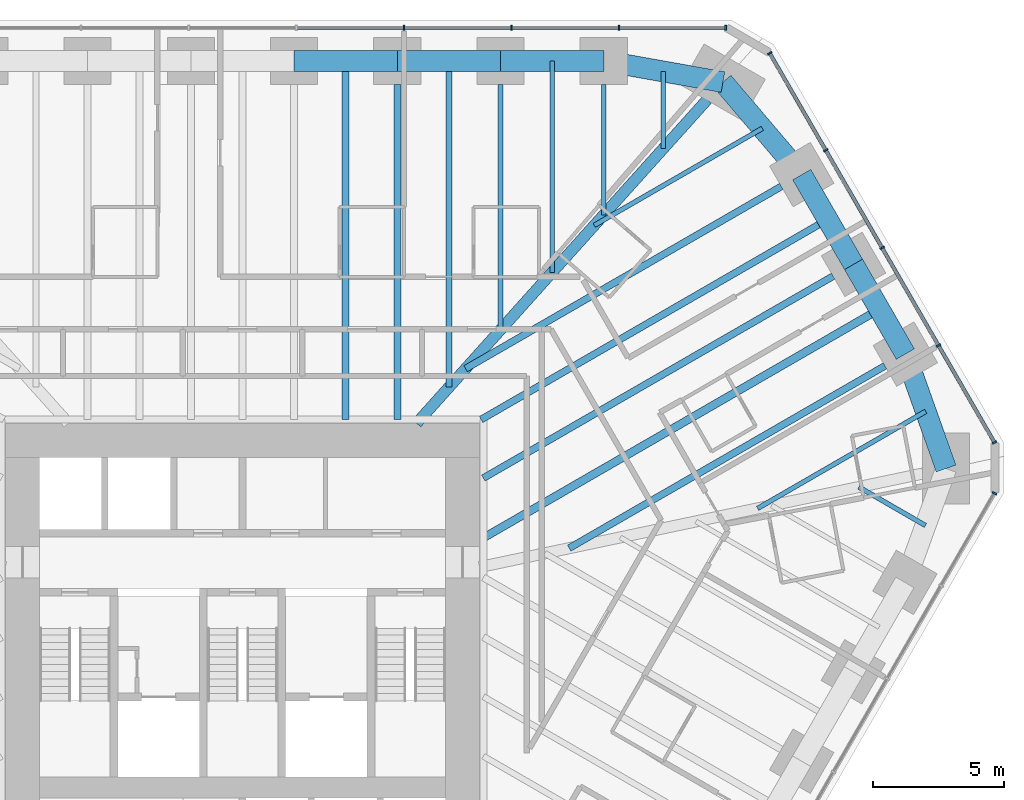
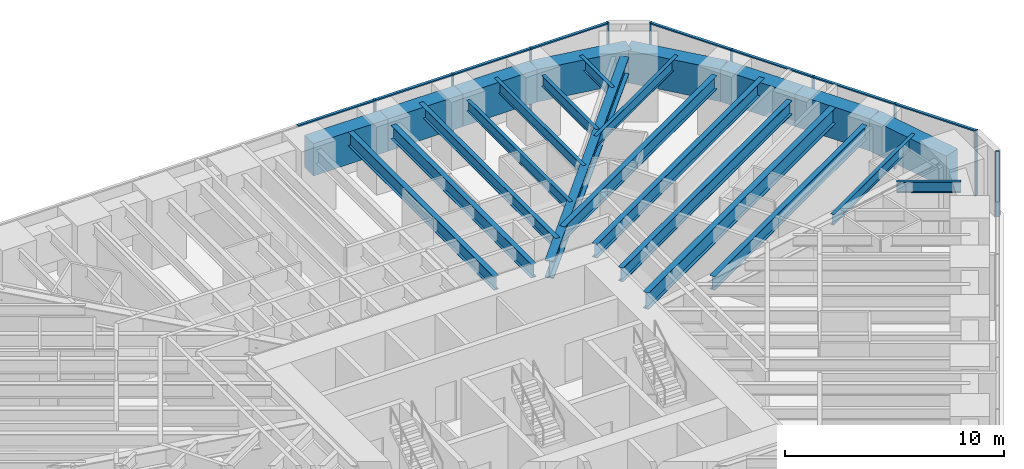
# One storey, part 9 of 17: 24 beams, 18 members, 3 elements without a shape of their own.
"""IFC4 building model written with IfcOpenShell, lengths in metres."""

from ifc_helpers import new_model, si_unit, direction, frame, origin, origin_2d, place, context, subcontext, project, spatial, rectangle, i_section, extrude, material, material_profile, profile_set, type_object, element, aggregate, save


model = new_model("IFC4")

# Units and contexts
model_context = context("Model", 3, precision=1e-05, world=origin(), true_north=direction((0.0, 1.0)))
body_context = subcontext(model_context, "Body", "Model", "MODEL_VIEW")
ifc_project = project(units=[si_unit("LENGTHUNIT", "METRE"), si_unit("AREAUNIT", "SQUARE_METRE"), si_unit("VOLUMEUNIT", "CUBIC_METRE"), si_unit("PLANEANGLEUNIT", "RADIAN"), si_unit("MASSUNIT", "GRAM", prefix="KILO")], contexts=[model_context])

# Site, building, storey
site_placement = place(None, origin())
site = spatial("IfcSite", under=ifc_project, at=site_placement, CompositionType="ELEMENT")
building_placement = place(site_placement, origin())
building = spatial("IfcBuilding", under=site, at=building_placement, Name="Sandreach Pilgrim Tower", CompositionType="ELEMENT")
storey_placement = place(building_placement, frame((0.0, 0.0, 123.39990234375)))
storey = spatial("IfcBuildingStorey", under=building, at=storey_placement, Name="L30", CompositionType="ELEMENT", Elevation=123.39990234375)

# Curtain wall, members
ifc_material_1 = material(Name="Aluminium framed curtain wall", Category="aluminium")
curtain_wall_type = type_object("IfcCurtainWallType", Name="Hotel tower curtain wall", PredefinedType="NOTDEFINED", material=ifc_material_1)
curtain_wall_1_placement = place(storey_placement, origin())
curtain_wall_1 = element("IfcCurtainWall", 1, at=curtain_wall_1_placement, inside=storey, type_object=curtain_wall_type, Name="CW-2 L30 N", PredefinedType="NOTDEFINED")
ifc_material_2 = material(Name="Aluminium extrusion", Category="aluminium")
ifc_material_profile_1 = material_profile(ifc_material_2, rectangle(XDim=0.06494140625, YDim=0.179931640625, at=origin_2d()), Name="CW-2M 65X180")
ifc_profile_set_1 = profile_set([ifc_material_profile_1], Name="Aluminium extrusion")
member_type_1 = type_object("IfcMemberType", Name="CW-2 mullion", PredefinedType="MULLION", material=ifc_profile_set_1)
member_1_placement = place(storey_placement, frame((6.160400390625, 22.493896484375, 0.0), z_axis=(0.0, 0.0, 1.0), x_axis=(1.0, 0.0, 0.0)))
member_1 = element("IfcMember", 2, at=member_1_placement, type_object=member_type_1, Name="CW-2 mullion 7", PredefinedType="MULLION", context=body_context, shape_type="SweptSolid", body=[
    extrude(rectangle(XDim=0.06494140625, YDim=0.179931640625, at=origin_2d()), origin(), (0.0, 0.0, 1.0), 3.64013671875),
])
member_2_placement = place(storey_placement, frame((10.267333984375, 22.493896484375, 0.0), z_axis=(0.0, 0.0, 1.0), x_axis=(1.0, 0.0, 0.0)))
member_2 = element("IfcMember", 3, at=member_2_placement, type_object=member_type_1, Name="CW-2 mullion 8", PredefinedType="MULLION", context=body_context, shape_type="SweptSolid", body=[
    extrude(rectangle(XDim=0.06494140625, YDim=0.179931640625, at=origin_2d()), origin(), (0.0, 0.0, 1.0), 3.64013671875),
])
member_3_placement = place(storey_placement, frame((14.37451171875, 22.493896484375, 0.0), z_axis=(0.0, 0.0, 1.0), x_axis=(1.0, 0.0, 0.0)))
member_3 = element("IfcMember", 4, at=member_3_placement, type_object=member_type_1, Name="CW-2 mullion 9", PredefinedType="MULLION", context=body_context, shape_type="SweptSolid", body=[
    extrude(rectangle(XDim=0.06494140625, YDim=0.179931640625, at=origin_2d()), origin(), (0.0, 0.0, 1.0), 3.64013671875),
])
member_4_placement = place(storey_placement, frame((18.448974609375, 22.493896484375, 0.0), z_axis=(0.0, 0.0, 1.0), x_axis=(1.0, 0.0, 0.0)))
member_4 = element("IfcMember", 5, at=member_4_placement, type_object=member_type_1, Name="CW-2 mullion 10", PredefinedType="MULLION", context=body_context, shape_type="SweptSolid", body=[
    extrude(rectangle(XDim=0.06494140625, YDim=0.179931640625, at=origin_2d()), origin(), (0.0, 0.0, 1.0), 3.64013671875),
])

curtain_wall_2_placement = place(storey_placement, origin())
curtain_wall_2 = element("IfcCurtainWall", 6, at=curtain_wall_2_placement, inside=storey, type_object=curtain_wall_type, Name="CW-2 L30 NE", PredefinedType="NOTDEFINED")
member_5_placement = place(storey_placement, frame((20.125732421875, 21.525634765625, 0.0), z_axis=(0.0, 0.0, 1.0), x_axis=(0.5, -0.866025403784, 0.0)))
member_5 = element("IfcMember", 7, at=member_5_placement, type_object=member_type_1, Name="CW-2 mullion 1", PredefinedType="MULLION", context=body_context, shape_type="SweptSolid", body=[
    extrude(rectangle(XDim=0.06494140625, YDim=0.179931640625, at=origin_2d()), origin(), (0.0, 0.0, 1.0), 3.64013671875),
])
member_6_placement = place(storey_placement, frame((22.262451171875, 17.824951171875, 0.0), z_axis=(0.0, 0.0, 1.0), x_axis=(0.5, -0.866025403784, 0.0)))
member_6 = element("IfcMember", 8, at=member_6_placement, type_object=member_type_1, Name="CW-2 mullion 2", PredefinedType="MULLION", context=body_context, shape_type="SweptSolid", body=[
    extrude(rectangle(XDim=0.06494140625, YDim=0.179931640625, at=origin_2d()), origin(), (0.0, 0.0, 1.0), 3.64013671875),
])
member_7_placement = place(storey_placement, frame((24.415283203125, 14.09619140625, 0.0), z_axis=(0.0, 0.0, 1.0), x_axis=(0.5, -0.866025403784, 0.0)))
member_7 = element("IfcMember", 9, at=member_7_placement, type_object=member_type_1, Name="CW-2 mullion 3", PredefinedType="MULLION", context=body_context, shape_type="SweptSolid", body=[
    extrude(rectangle(XDim=0.06494140625, YDim=0.179931640625, at=origin_2d()), origin(), (0.0, 0.0, 1.0), 3.64013671875),
])
member_8_placement = place(storey_placement, frame((26.568115234375, 10.3671875, 0.0), z_axis=(0.0, 0.0, 1.0), x_axis=(0.5, -0.866025403784, 0.0)))
member_8 = element("IfcMember", 10, at=member_8_placement, type_object=member_type_1, Name="CW-2 mullion 4", PredefinedType="MULLION", context=body_context, shape_type="SweptSolid", body=[
    extrude(rectangle(XDim=0.06494140625, YDim=0.179931640625, at=origin_2d()), origin(), (0.0, 0.0, 1.0), 3.64013671875),
])
member_9_placement = place(storey_placement, frame((28.70458984375, 6.66650390625, 0.0), z_axis=(0.0, 0.0, 1.0), x_axis=(0.5, -0.866025403784, 0.0)))
member_9 = element("IfcMember", 11, at=member_9_placement, type_object=member_type_1, Name="CW-2 mullion 5", PredefinedType="MULLION", context=body_context, shape_type="SweptSolid", body=[
    extrude(rectangle(XDim=0.06494140625, YDim=0.179931640625, at=origin_2d()), origin(), (0.0, 0.0, 1.0), 3.64013671875),
])

# Curtain wall, member
curtain_wall_3_placement = place(storey_placement, origin())
curtain_wall_3 = element("IfcCurtainWall", 12, at=curtain_wall_3_placement, inside=storey, type_object=curtain_wall_type, Name="CW-2 L30 SE", PredefinedType="NOTDEFINED")
member_10_placement = place(storey_placement, frame((28.70458984375, 4.730224609375, 0.0), z_axis=(0.0, 0.0, 1.0), x_axis=(-0.5, -0.866025403784, 0.0)))
member_10 = element("IfcMember", 13, at=member_10_placement, type_object=member_type_1, Name="CW-2 mullion 1", PredefinedType="MULLION", context=body_context, shape_type="SweptSolid", body=[
    extrude(rectangle(XDim=0.06494140625, YDim=0.179931640625, at=origin_2d()), origin(), (0.0, 0.0, 1.0), 3.64013671875),
])
aggregate(curtain_wall_3, [member_10])

# Member
ifc_material_3 = material(Name="Aluminium extrusion", Category="aluminium")
ifc_material_profile_2 = material_profile(ifc_material_3, rectangle(XDim=0.139892578125, YDim=0.070068359375, at=origin_2d()), Name="CW-2T 140X70")
ifc_profile_set_2 = profile_set([ifc_material_profile_2], Name="Aluminium extrusion")
member_type_2 = type_object("IfcMemberType", Name="CW-2 transom", PredefinedType="USERDEFINED", material=ifc_profile_set_2)
member_11_placement = place(storey_placement, frame((2.0859375, 22.493896484375, 3.60498046875), z_axis=(1.0, 0.0, 0.0), x_axis=(0.0, 1.0, 0.0)))
member_11 = element("IfcMember", 14, at=member_11_placement, type_object=member_type_2, Name="CW-2 head transom 6", ObjectType="TRANSOM", PredefinedType="USERDEFINED", context=body_context, shape_type="SweptSolid", body=[
    extrude(rectangle(XDim=0.139892578125, YDim=0.070068359375, at=origin_2d()), origin(), (0.0, 0.0, 1.0), 4.0419921875),
])

member_12_placement = place(storey_placement, frame((6.19287109375, 22.493896484375, 3.60498046875), z_axis=(1.0, 0.0, 0.0), x_axis=(0.0, 1.0, 0.0)))
member_12 = element("IfcMember", 15, at=member_12_placement, type_object=member_type_2, Name="CW-2 head transom 7", ObjectType="TRANSOM", PredefinedType="USERDEFINED", context=body_context, shape_type="SweptSolid", body=[
    extrude(rectangle(XDim=0.139892578125, YDim=0.070068359375, at=origin_2d()), origin(), (0.0, 0.0, 1.0), 4.0419921875),
])

member_13_placement = place(storey_placement, frame((10.300048828125, 22.493896484375, 3.60498046875), z_axis=(1.0, 0.0, 0.0), x_axis=(0.0, 1.0, 0.0)))
member_13 = element("IfcMember", 16, at=member_13_placement, type_object=member_type_2, Name="CW-2 head transom 8", ObjectType="TRANSOM", PredefinedType="USERDEFINED", context=body_context, shape_type="SweptSolid", body=[
    extrude(rectangle(XDim=0.139892578125, YDim=0.070068359375, at=origin_2d()), origin(), (0.0, 0.0, 1.0), 4.041748046875),
])

member_14_placement = place(storey_placement, frame((14.406982421875, 22.493896484375, 3.60498046875), z_axis=(1.0, 0.0, 0.0), x_axis=(0.0, 1.0, 0.0)))
member_14 = element("IfcMember", 17, at=member_14_placement, type_object=member_type_2, Name="CW-2 head transom 9", ObjectType="TRANSOM", PredefinedType="USERDEFINED", context=body_context, shape_type="SweptSolid", body=[
    extrude(rectangle(XDim=0.139892578125, YDim=0.070068359375, at=origin_2d()), origin(), (0.0, 0.0, 1.0), 4.00927734375),
])

aggregate(curtain_wall_1, [member_1, member_2, member_3, member_4, member_11, member_12, member_13, member_14])

member_15_placement = place(storey_placement, frame((20.14208984375, 21.49755859375, 3.60498046875), z_axis=(0.49997020258, -0.86604260665, 0.0), x_axis=(0.86604260665, 0.49997020258, 0.0)))
member_15 = element("IfcMember", 18, at=member_15_placement, type_object=member_type_2, Name="CW-2 head transom 1", ObjectType="TRANSOM", PredefinedType="USERDEFINED", context=body_context, shape_type="SweptSolid", body=[
    extrude(rectangle(XDim=0.139892578125, YDim=0.070068359375, at=origin_2d()), origin(), (0.0, 0.0, 1.0), 4.208251953125),
])

member_16_placement = place(storey_placement, frame((22.278564453125, 17.796875, 3.60498046875), z_axis=(0.499996541496, -0.866027400544, 0.0), x_axis=(0.866027400544, 0.499996541496, 0.0)))
member_16 = element("IfcMember", 19, at=member_16_placement, type_object=member_type_2, Name="CW-2 head transom 2", ObjectType="TRANSOM", PredefinedType="USERDEFINED", context=body_context, shape_type="SweptSolid", body=[
    extrude(rectangle(XDim=0.139892578125, YDim=0.070068359375, at=origin_2d()), origin(), (0.0, 0.0, 1.0), 4.24072265625),
])

member_17_placement = place(storey_placement, frame((24.431396484375, 14.06787109375, 3.60498046875), z_axis=(0.500021471012, -0.866013007135, 0.0), x_axis=(0.866013007135, 0.500021471012, 0.0)))
member_17 = element("IfcMember", 20, at=member_17_placement, type_object=member_type_2, Name="CW-2 head transom 3", ObjectType="TRANSOM", PredefinedType="USERDEFINED", context=body_context, shape_type="SweptSolid", body=[
    extrude(rectangle(XDim=0.139892578125, YDim=0.070068359375, at=origin_2d()), origin(), (0.0, 0.0, 1.0), 4.240478515625),
])

member_18_placement = place(storey_placement, frame((26.584228515625, 10.339111328125, 3.60498046875), z_axis=(0.500038835258, -0.866002981077, 0.0), x_axis=(0.866002981077, 0.500038835258, 0.0)))
member_18 = element("IfcMember", 21, at=member_18_placement, type_object=member_type_2, Name="CW-2 head transom 4", ObjectType="TRANSOM", PredefinedType="USERDEFINED", context=body_context, shape_type="SweptSolid", body=[
    extrude(rectangle(XDim=0.139892578125, YDim=0.070068359375, at=origin_2d()), origin(), (0.0, 0.0, 1.0), 4.208251953125),
])

aggregate(curtain_wall_2, [member_5, member_6, member_7, member_8, member_9, member_15, member_16, member_17, member_18])

# Beams
ifc_material_4 = material(Name="Steel ASTM A992 Grade 50", Category="steel")
ifc_material_profile_3 = material_profile(ifc_material_4, i_section(OverallWidth=0.424072265625, OverallDepth=0.965087890625, WebThickness=0.028564453125, FlangeThickness=0.051025390625, at=origin_2d()), Name="W36X361")
ifc_profile_set_3 = profile_set([ifc_material_profile_3], Name="Steel ASTM A992 Grade 50")
beam_type_1 = type_object("IfcBeamType", Name="Corner girder W36X361", PredefinedType="BEAM", material=ifc_profile_set_3)
beam_1_placement = place(storey_placement, frame((17.738037109375, 19.754150390625, 3.157470703125), z_axis=(-0.66811374471, -0.74405915365, 0.0), x_axis=(0.74405915365, -0.66811374471, 0.0)))
element("IfcBeam", 22, at=beam_1_placement, inside=storey, type_object=beam_type_1, Name="BM L30 CG09", PredefinedType="BEAM", context=body_context, shape_type="SweptSolid", body=[
    extrude(i_section(OverallWidth=0.424072265625, OverallDepth=0.965087890625, WebThickness=0.028564453125, FlangeThickness=0.051025390625, at=origin_2d()), origin(), (0.0, 0.0, 1.0), 16.603759765625),
])
ifc_material_5 = material(Name="Steel ASTM A992 Grade 50", Category="steel")
ifc_material_profile_4 = material_profile(ifc_material_5, i_section(OverallWidth=0.1787109375, OverallDepth=0.60205078125, WebThickness=0.010986328125, FlangeThickness=0.014892578125, at=origin_2d()), Name="W24X62")
ifc_profile_set_4 = profile_set([ifc_material_profile_4], Name="Steel ASTM A992 Grade 50")
beam_type_2 = type_object("IfcBeamType", Name="Floor beam W24X62", PredefinedType="BEAM", material=ifc_profile_set_4)
beam_2_placement = place(storey_placement, frame((9.849853515625, 20.333740234375, 3.339111328125), z_axis=(0.0, -1.0, 0.0), x_axis=(1.0, 0.0, 0.0)))
element("IfcBeam", 23, at=beam_2_placement, inside=storey, type_object=beam_type_2, Name="BM L30 F07", PredefinedType="BEAM", context=body_context, shape_type="SweptSolid", body=[
    extrude(i_section(OverallWidth=0.1787109375, OverallDepth=0.60205078125, WebThickness=0.010986328125, FlangeThickness=0.014892578125, at=origin_2d()), origin(), (0.0, 0.0, 1.0), 9.3642578125),
])
beam_3_placement = place(storey_placement, frame((13.789794921875, 20.333740234375, 3.339111328125), z_axis=(0.0, -1.0, 0.0), x_axis=(1.0, 0.0, 0.0)))
element("IfcBeam", 24, at=beam_3_placement, inside=storey, type_object=beam_type_2, Name="BM L30 F08", PredefinedType="BEAM", context=body_context, shape_type="SweptSolid", body=[
    extrude(i_section(OverallWidth=0.1787109375, OverallDepth=0.60205078125, WebThickness=0.010986328125, FlangeThickness=0.014892578125, at=origin_2d()), origin(), (0.0, 0.0, 1.0), 4.9765625),
])
beam_4_placement = place(storey_placement, frame((11.81982421875, 21.23388671875, 3.339111328125), z_axis=(0.0, -1.0, 0.0), x_axis=(1.0, 0.0, 0.0)))
element("IfcBeam", 25, at=beam_4_placement, inside=storey, type_object=beam_type_2, Name="BM L30 FM07", PredefinedType="BEAM", context=body_context, shape_type="SweptSolid", body=[
    extrude(i_section(OverallWidth=0.1787109375, OverallDepth=0.60205078125, WebThickness=0.010986328125, FlangeThickness=0.014892578125, at=origin_2d()), origin(), (0.0, 0.0, 1.0), 8.070556640625),
])
beam_5_placement = place(storey_placement, frame((16.064697265625, 20.828857421875, 3.339111328125), z_axis=(0.0, -1.0, 0.0), x_axis=(1.0, 0.0, 0.0)))
element("IfcBeam", 26, at=beam_5_placement, inside=storey, type_object=beam_type_2, Name="BM L30 FM08", PredefinedType="BEAM", context=body_context, shape_type="SweptSolid", body=[
    extrude(i_section(OverallWidth=0.1787109375, OverallDepth=0.60205078125, WebThickness=0.010986328125, FlangeThickness=0.014892578125, at=origin_2d()), origin(), (0.0, 0.0, 1.0), 2.938232421875),
])
for number, where, z_axis, x_axis, name in (
    (27, (19.8427734375, 18.65771484375, 3.339111328125), (-0.866025875064, -0.499999183719, 0.0), (0.499999183719, -0.866025875064, 0.0), "BM L30 FM09"),
    (28, (26.079345703125, 7.855712890625, 3.339111328125), (-0.866025875064, -0.499999183719, 0.0), (0.499999183719, -0.866025875064, 0.0), "BM L30 FM12"),
):
    element("IfcBeam", number, at=place(storey_placement, frame(where, z_axis=z_axis, x_axis=x_axis)), inside=storey, type_object=beam_type_2, Name=name, PredefinedType="BEAM", context=body_context, shape_type="SweptSolid", body=[
        extrude(i_section(OverallWidth=0.1787109375, OverallDepth=0.60205078125, WebThickness=0.010986328125, FlangeThickness=0.014892578125, at=origin_2d()), origin(), (0.0, 0.0, 1.0), 7.40771484375),
    ])
beam_6_placement = place(storey_placement, frame((26.070556640625, 3.498046875, 3.339111328125), z_axis=(-0.866051374412, 0.499955014855, 0.0), x_axis=(-0.499955014855, -0.866051374412, 0.0)))
element("IfcBeam", 29, at=beam_6_placement, inside=storey, type_object=beam_type_2, Name="BM L30 FM13", PredefinedType="BEAM", context=body_context, shape_type="SweptSolid", body=[
    extrude(i_section(OverallWidth=0.1787109375, OverallDepth=0.60205078125, WebThickness=0.010986328125, FlangeThickness=0.014892578125, at=origin_2d()), origin(), (0.0, 0.0, 1.0), 2.938232421875),
])
ifc_material_6 = material(Name="Steel ASTM A992 Grade 50", Category="steel")
ifc_material_profile_5 = material_profile(ifc_material_6, i_section(OverallWidth=0.23046875, OverallDepth=0.6171875, WebThickness=0.01318359375, FlangeThickness=0.022216796875, at=origin_2d()), Name="W24X94")
ifc_profile_set_5 = profile_set([ifc_material_profile_5], Name="Steel ASTM A992 Grade 50")
beam_type_3 = type_object("IfcBeamType", Name="Floor beam W24X94", PredefinedType="BEAM", material=ifc_profile_set_5)
beam_7_placement = place(storey_placement, frame((7.8798828125, 21.23388671875, 3.33154296875), z_axis=(0.0, -1.0, 0.0), x_axis=(1.0, 0.0, 0.0)))
element("IfcBeam", 30, at=beam_7_placement, inside=storey, type_object=beam_type_3, Name="BM L30 FM06", PredefinedType="BEAM", context=body_context, shape_type="SweptSolid", body=[
    extrude(i_section(OverallWidth=0.23046875, OverallDepth=0.6171875, WebThickness=0.01318359375, FlangeThickness=0.022216796875, at=origin_2d()), origin(), (0.0, 0.0, 1.0), 12.458251953125),
])
ifc_material_7 = material(Name="Steel ASTM A992 Grade 50", Category="steel")
ifc_material_profile_6 = material_profile(ifc_material_7, i_section(OverallWidth=0.2666015625, OverallDepth=0.761962890625, WebThickness=0.014404296875, FlangeThickness=0.021484375, at=origin_2d()), Name="W30X116")
ifc_profile_set_6 = profile_set([ifc_material_profile_6], Name="Steel ASTM A992 Grade 50")
beam_type_4 = type_object("IfcBeamType", Name="Floor beam W30X116", PredefinedType="BEAM", material=ifc_profile_set_6)
beam_8_placement = place(storey_placement, frame((5.909912109375, 20.333740234375, 3.259033203125), z_axis=(0.0, -1.0, 0.0), x_axis=(1.0, 0.0, 0.0)))
element("IfcBeam", 31, at=beam_8_placement, inside=storey, type_object=beam_type_4, Name="BM L30 F06", PredefinedType="BEAM", context=body_context, shape_type="SweptSolid", body=[
    extrude(i_section(OverallWidth=0.2666015625, OverallDepth=0.761962890625, WebThickness=0.014404296875, FlangeThickness=0.021484375, at=origin_2d()), origin(), (0.0, 0.0, 1.0), 12.790283203125),
])
beam_9_placement = place(storey_placement, frame((20.56689453125, 16.44140625, 3.259033203125), z_axis=(-0.866022263426, -0.500005439221, 0.0), x_axis=(0.500005439221, -0.866022263426, 0.0)))
element("IfcBeam", 32, at=beam_9_placement, inside=storey, type_object=beam_type_4, Name="BM L30 F10", PredefinedType="BEAM", context=body_context, shape_type="SweptSolid", body=[
    extrude(i_section(OverallWidth=0.2666015625, OverallDepth=0.761962890625, WebThickness=0.014404296875, FlangeThickness=0.021484375, at=origin_2d()), origin(), (0.0, 0.0, 1.0), 13.915283203125),
])
beam_10_placement = place(storey_placement, frame((24.522216796875, 9.5908203125, 3.259033203125), z_axis=(-0.866026649588, -0.499997842199, 0.0), x_axis=(0.499997842199, -0.866026649588, 0.0)))
element("IfcBeam", 33, at=beam_10_placement, inside=storey, type_object=beam_type_4, Name="BM L30 F12", PredefinedType="BEAM", context=body_context, shape_type="SweptSolid", body=[
    extrude(i_section(OverallWidth=0.2666015625, OverallDepth=0.761962890625, WebThickness=0.014404296875, FlangeThickness=0.021484375, at=origin_2d()), origin(), (0.0, 0.0, 1.0), 13.91552734375),
])
beam_11_placement = place(storey_placement, frame((3.93994140625, 21.23388671875, 3.259033203125), z_axis=(0.0, -1.0, 0.0), x_axis=(1.0, 0.0, 0.0)))
element("IfcBeam", 34, at=beam_11_placement, inside=storey, type_object=beam_type_4, Name="BM L30 FM05", PredefinedType="BEAM", context=body_context, shape_type="SweptSolid", body=[
    extrude(i_section(OverallWidth=0.2666015625, OverallDepth=0.761962890625, WebThickness=0.014404296875, FlangeThickness=0.021484375, at=origin_2d()), origin(), (0.0, 0.0, 1.0), 13.6904296875),
])
ifc_material_8 = material(Name="Steel ASTM A992 Grade 50", Category="steel")
ifc_material_profile_7 = material_profile(ifc_material_8, i_section(OverallWidth=0.2666015625, OverallDepth=0.77978515625, WebThickness=0.0166015625, FlangeThickness=0.030029296875, at=origin_2d()), Name="W30X148")
ifc_profile_set_7 = profile_set([ifc_material_profile_7], Name="Steel ASTM A992 Grade 50")
beam_type_5 = type_object("IfcBeamType", Name="Floor beam W30X148", PredefinedType="BEAM", material=ifc_profile_set_7)
beam_12_placement = place(storey_placement, frame((22.544677734375, 13.01611328125, 3.250244140625), z_axis=(-0.866029203842, -0.49999341805, 0.0), x_axis=(0.49999341805, -0.866029203842, 0.0)))
element("IfcBeam", 35, at=beam_12_placement, inside=storey, type_object=beam_type_5, Name="BM L30 F11", PredefinedType="BEAM", context=body_context, shape_type="SweptSolid", body=[
    extrude(i_section(OverallWidth=0.2666015625, OverallDepth=0.77978515625, WebThickness=0.0166015625, FlangeThickness=0.030029296875, at=origin_2d()), origin(), (0.0, 0.0, 1.0), 15.416748046875),
])
beam_13_placement = place(storey_placement, frame((22.335205078125, 15.1787109375, 3.250244140625), z_axis=(-0.866028773314, -0.499994163758, 0.0), x_axis=(0.499994163758, -0.866028773314, 0.0)))
element("IfcBeam", 36, at=beam_13_placement, inside=storey, type_object=beam_type_5, Name="BM L30 FM10", PredefinedType="BEAM", context=body_context, shape_type="SweptSolid", body=[
    extrude(i_section(OverallWidth=0.2666015625, OverallDepth=0.77978515625, WebThickness=0.0166015625, FlangeThickness=0.030029296875, at=origin_2d()), origin(), (0.0, 0.0, 1.0), 15.270751953125),
])
ifc_material_9 = material(Name="Steel ASTM A992 Grade 50", Category="steel")
ifc_material_profile_8 = material_profile(ifc_material_9, i_section(OverallWidth=0.3046875, OverallDepth=0.914306640625, WebThickness=0.0166015625, FlangeThickness=0.02587890625, at=origin_2d()), Name="W36X160")
ifc_profile_set_8 = profile_set([ifc_material_profile_8], Name="Steel ASTM A992 Grade 50")
beam_type_6 = type_object("IfcBeamType", Name="Floor beam W36X160", PredefinedType="BEAM", material=ifc_profile_set_8)
beam_14_placement = place(storey_placement, frame((24.312744140625, 11.75341796875, 3.182861328125), z_axis=(-0.866023737483, -0.500002886107, 0.0), x_axis=(0.500002886107, -0.866023737483, 0.0)))
element("IfcBeam", 37, at=beam_14_placement, inside=storey, type_object=beam_type_6, Name="BM L30 FM11", PredefinedType="BEAM", context=body_context, shape_type="SweptSolid", body=[
    extrude(i_section(OverallWidth=0.3046875, OverallDepth=0.914306640625, WebThickness=0.0166015625, FlangeThickness=0.02587890625, at=origin_2d()), origin(), (0.0, 0.0, 1.0), 17.45849609375),
])
ifc_material_10 = material(Name="Concrete 10000 psi", Category="concrete")
ifc_material_profile_9 = material_profile(ifc_material_10, rectangle(XDim=0.800048828125, YDim=1.800048828125, at=origin_2d()), Name="RC800X1800")
ifc_profile_set_9 = profile_set([ifc_material_profile_9], Name="Concrete 10000 psi")
beam_type_7 = type_object("IfcBeamType", Name="Spandrel beam RC800X1800", PredefinedType="SPANDREL", material=ifc_profile_set_9)
for number, where, z_axis, x_axis, name in (
    (38, (1.969970703125, 21.23388671875, 2.739990234375), (1.0, 0.0, 0.0), (0.0, 1.0, 0.0), "BM L30 SP05"),
    (39, (5.909912109375, 21.23388671875, 2.739990234375), (1.0, 0.0, 0.0), (0.0, 1.0, 0.0), "BM L30 SP06"),
    (40, (9.849853515625, 21.23388671875, 2.739990234375), (1.0, 0.0, 0.0), (0.0, 1.0, 0.0), "BM L30 SP07"),
):
    element("IfcBeam", number, at=place(storey_placement, frame(where, z_axis=z_axis, x_axis=x_axis)), inside=storey, type_object=beam_type_7, Name=name, PredefinedType="SPANDREL", context=body_context, shape_type="SweptSolid", body=[
        extrude(rectangle(XDim=0.800048828125, YDim=1.800048828125, at=origin_2d()), origin(), (0.0, 0.0, 1.0), 3.93994140625),
    ])
beam_15_placement = place(storey_placement, frame((13.789794921875, 21.23388671875, 2.739990234375), z_axis=(0.984515938739, -0.175295083699, 0.0), x_axis=(0.175295083699, 0.984515938739, 0.0)))
element("IfcBeam", 41, at=beam_15_placement, inside=storey, type_object=beam_type_7, Name="BM L30 SP08", PredefinedType="SPANDREL", context=body_context, shape_type="SweptSolid", body=[
    extrude(rectangle(XDim=0.800048828125, YDim=1.800048828125, at=origin_2d()), origin(), (0.0, 0.0, 1.0), 4.62109375),
])
beam_16_placement = place(storey_placement, frame((18.33935546875, 20.423828125, 2.739990234375), z_axis=(0.648208888384, -0.761462564425, 0.0), x_axis=(0.761462564425, 0.648208888384, 0.0)))
element("IfcBeam", 42, at=beam_16_placement, inside=storey, type_object=beam_type_7, Name="BM L30 SP09", PredefinedType="SPANDREL", context=body_context, shape_type="SweptSolid", body=[
    extrude(rectangle(XDim=0.800048828125, YDim=1.800048828125, at=origin_2d()), origin(), (0.0, 0.0, 1.0), 4.63916015625),
])
for number, where, z_axis, x_axis, name in (
    (43, (21.346435546875, 16.891357421875, 2.739990234375), (0.499989616998, -0.866031398331, 0.0), (0.866031398331, 0.499989616998, 0.0), "BM L30 SP10"),
    (44, (23.323974609375, 13.466064453125, 2.739990234375), (0.499989616998, -0.866031398331, 0.0), (0.866031398331, 0.499989616998, 0.0), "BM L30 SP11"),
):
    element("IfcBeam", number, at=place(storey_placement, frame(where, z_axis=z_axis, x_axis=x_axis)), inside=storey, type_object=beam_type_7, Name=name, PredefinedType="SPANDREL", context=body_context, shape_type="SweptSolid", body=[
        extrude(rectangle(XDim=0.800048828125, YDim=1.800048828125, at=origin_2d()), origin(), (0.0, 0.0, 1.0), 3.955078125),
    ])
beam_17_placement = place(storey_placement, frame((25.301513671875, 10.040771484375, 2.739990234375), z_axis=(0.335346041399, -0.942095023083, 0.0), x_axis=(0.942095023083, 0.335346041399, 0.0)))
element("IfcBeam", 45, at=beam_17_placement, inside=storey, type_object=beam_type_7, Name="BM L30 SP12", PredefinedType="SPANDREL", context=body_context, shape_type="SweptSolid", body=[
    extrude(rectangle(XDim=0.800048828125, YDim=1.800048828125, at=origin_2d()), origin(), (0.0, 0.0, 1.0), 4.638916015625),
])

save(model, "model.ifc")
